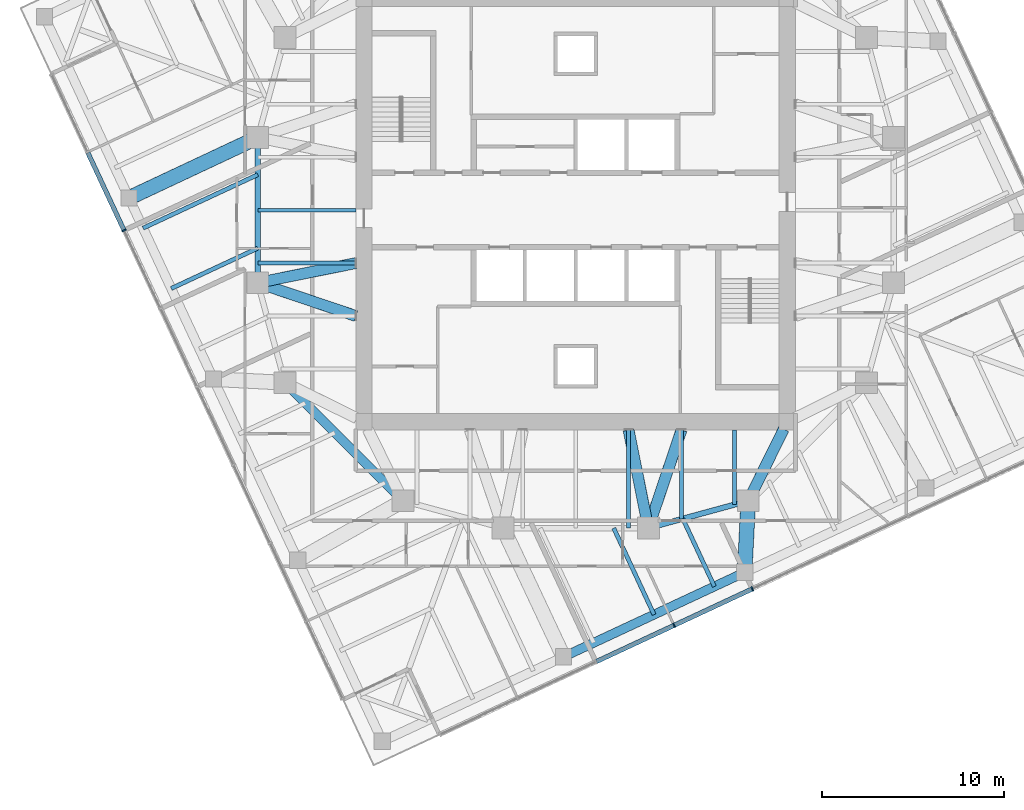
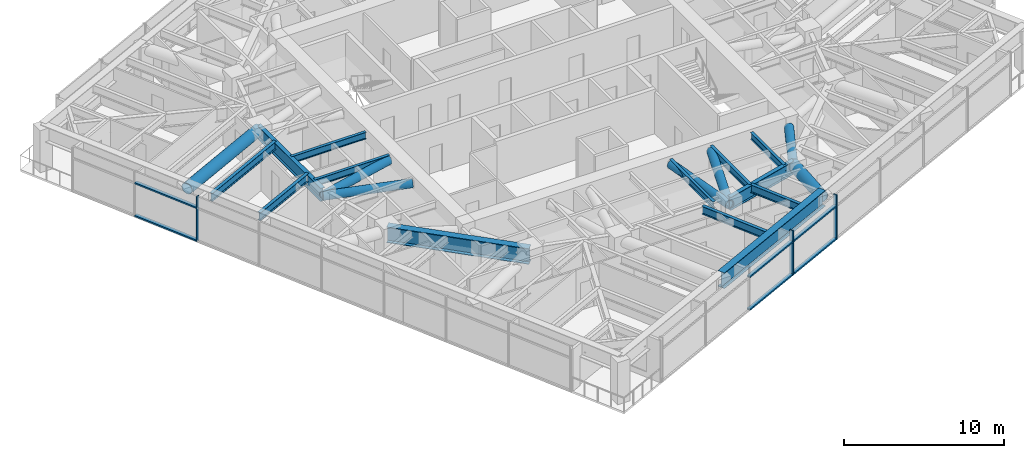
# One storey, part 3 of 16: 16 members, 13 beams, 2 elements without a shape of their own.
"""IFC4 building model written with IfcOpenShell, lengths in metres."""

from ifc_helpers import new_model, si_unit, direction, frame, origin, origin_2d, place, context, subcontext, project, spatial, rectangle, hollow_circle, i_section, extrude, material, material_profile, profile_set, type_object, element, aggregate, save


model = new_model("IFC4")

# Units and contexts
model_context = context("Model", 3, precision=1e-05, world=origin(), true_north=direction((0.0, 1.0)))
body_context = subcontext(model_context, "Body", "Model", "MODEL_VIEW")
ifc_project = project(units=[si_unit("LENGTHUNIT", "METRE"), si_unit("AREAUNIT", "SQUARE_METRE"), si_unit("VOLUMEUNIT", "CUBIC_METRE"), si_unit("PLANEANGLEUNIT", "RADIAN"), si_unit("MASSUNIT", "GRAM", prefix="KILO")], contexts=[model_context])

# Site, building, storey
site_placement = place(None, origin())
site = spatial("IfcSite", under=ifc_project, at=site_placement, CompositionType="ELEMENT")
building_placement = place(site_placement, origin())
building = spatial("IfcBuilding", under=site, at=building_placement, Name="Torsade Residences", CompositionType="ELEMENT")
storey_placement = place(building_placement, frame((0.0, 0.0, 199.800048828125)))
storey = spatial("IfcBuildingStorey", under=building, at=storey_placement, Name="L55", CompositionType="ELEMENT", Elevation=199.800048828125)

# Beams
ifc_material_1 = material(Name="Steel grade 300", Category="steel")
ifc_material_profile_1 = material_profile(ifc_material_1, i_section(OverallWidth=0.208984375, OverallDepth=0.528076171875, WebThickness=0.009521484375, FlangeThickness=0.01318359375, FilletRadius=0.013916015625, at=origin_2d()), Name="530UB82.0")
ifc_profile_set_1 = profile_set([ifc_material_profile_1], Name="Steel grade 300")
beam_type_1 = type_object("IfcBeamType", Name="INNER FLOOR BEAM 530UB82.0", PredefinedType="JOIST", material=ifc_profile_set_1)
beam_1_placement = place(storey_placement, frame((48.737548828125, 17.89990234375, 2.93603515625), z_axis=(0.0, -1.0, 0.0), x_axis=(1.0, 0.0, 0.0)))
element("IfcBeam", 1, at=beam_1_placement, inside=storey, type_object=beam_type_1, Name="Inner floor beam IS01 L56", PredefinedType="JOIST", context=body_context, shape_type="SweptSolid", body=[
    extrude(i_section(OverallWidth=0.208984375, OverallDepth=0.528076171875, WebThickness=0.009521484375, FlangeThickness=0.01318359375, FilletRadius=0.013916015625, at=origin_2d()), origin(), (0.0, 0.0, 1.0), 4.10791015625),
])
beam_2_placement = place(storey_placement, frame((45.824951171875, 17.89990234375, 2.93603515625), z_axis=(0.0, -1.0, 0.0), x_axis=(1.0, 0.0, 0.0)))
element("IfcBeam", 2, at=beam_2_placement, inside=storey, type_object=beam_type_1, Name="Inner floor beam IS02 L56", PredefinedType="JOIST", context=body_context, shape_type="SweptSolid", body=[
    extrude(i_section(OverallWidth=0.208984375, OverallDepth=0.528076171875, WebThickness=0.009521484375, FlangeThickness=0.01318359375, FilletRadius=0.013916015625, at=origin_2d()), origin(), (0.0, 0.0, 1.0), 4.902099609375),
])
for number, where, z_axis, x_axis, name in (
    (3, (42.91259765625, 17.89990234375, 2.93603515625), (0.0, -1.0, 0.0), (1.0, 0.0, 0.0), "Inner floor beam IS03 L56"),
    (4, (27.89990234375, 30.0, 2.93603515625), (-1.0, 0.0, 0.0), (0.0, -1.0, 0.0), "Inner floor beam IW04 L56"),
    (5, (27.89990234375, 27.08740234375, 2.93603515625), (-1.0, 0.0, 0.0), (0.0, -1.0, 0.0), "Inner floor beam IW05 L56"),
):
    element("IfcBeam", number, at=place(storey_placement, frame(where, z_axis=z_axis, x_axis=x_axis)), inside=storey, type_object=beam_type_1, Name=name, PredefinedType="JOIST", context=body_context, shape_type="SweptSolid", body=[
        extrude(i_section(OverallWidth=0.208984375, OverallDepth=0.528076171875, WebThickness=0.009521484375, FlangeThickness=0.01318359375, FilletRadius=0.013916015625, at=origin_2d()), origin(), (0.0, 0.0, 1.0), 5.39990234375),
    ])

# Curtain wall, members
ifc_material_2 = material(Name="Aluminium and glass", Category="aluminium")
curtain_wall_type = type_object("IfcCurtainWallType", Name="FRITTED GLASS CURTAIN WALL MID ZONE", PredefinedType="NOTDEFINED", material=ifc_material_2)
curtain_wall_1_placement = place(storey_placement, origin())
curtain_wall_1 = element("IfcCurtainWall", 6, at=curtain_wall_1_placement, inside=storey, type_object=curtain_wall_type, Name="Curtain wall L55 face 1", PredefinedType="NOTDEFINED")
ifc_material_3 = material(Name="Aluminium mullion", Category="aluminium")
ifc_material_profile_2 = material_profile(ifc_material_3, rectangle(XDim=0.25, YDim=0.080078125, at=origin_2d()), Name="MID ZONE CURTAIN WALL MULLION 250x80")
ifc_profile_set_2 = profile_set([ifc_material_profile_2], Name="Aluminium mullion")
member_type_1 = type_object("IfcMemberType", Name="MID ZONE CURTAIN WALL MULLION 250x80", PredefinedType="MULLION", material=ifc_profile_set_2)
member_1_placement = place(storey_placement, frame((45.415283203125, 7.1474609375, 0.0), z_axis=(0.0, 0.0, 1.0), x_axis=(-0.422618261978, 0.906307786926, 0.0)))
member_1 = element("IfcMember", 7, at=member_1_placement, type_object=member_type_1, Name="Mullion 4", PredefinedType="MULLION", context=body_context, shape_type="SweptSolid", body=[
    extrude(rectangle(XDim=0.25, YDim=0.080078125, at=origin_2d()), origin(), (0.0, 0.0, 1.0), 3.39990234375),
])
member_2_placement = place(storey_placement, frame((49.72021484375, 9.155029296875, 0.0), z_axis=(0.0, 0.0, 1.0), x_axis=(-0.422618261978, 0.906307786926, 0.0)))
member_2 = element("IfcMember", 8, at=member_2_placement, type_object=member_type_1, Name="Mullion 5", PredefinedType="MULLION", context=body_context, shape_type="SweptSolid", body=[
    extrude(rectangle(XDim=0.25, YDim=0.080078125, at=origin_2d()), origin(), (0.0, 0.0, 1.0), 3.39990234375),
])

# Curtain wall, member
curtain_wall_2_placement = place(storey_placement, origin())
curtain_wall_2 = element("IfcCurtainWall", 9, at=curtain_wall_2_placement, inside=storey, type_object=curtain_wall_type, Name="Curtain wall L55 face 10", PredefinedType="NOTDEFINED")
member_3_placement = place(storey_placement, frame((15.14013671875, 28.8896484375, 0.0), z_axis=(0.0, 0.0, 1.0), x_axis=(0.906307786926, 0.422618261978, 0.0)))
member_3 = element("IfcMember", 10, at=member_3_placement, type_object=member_type_1, Name="Mullion 3", PredefinedType="MULLION", context=body_context, shape_type="SweptSolid", body=[
    extrude(rectangle(XDim=0.25, YDim=0.080078125, at=origin_2d()), origin(), (0.0, 0.0, 1.0), 3.39990234375),
])

# Member
ifc_material_4 = material(Name="Aluminium transom", Category="aluminium")
ifc_material_profile_3 = material_profile(ifc_material_4, rectangle(XDim=0.25, YDim=0.110107421875, at=origin_2d()), Name="MID ZONE CURTAIN WALL TRANSOM 250x110")
ifc_profile_set_3 = profile_set([ifc_material_profile_3], Name="Aluminium transom")
member_type_2 = type_object("IfcMemberType", Name="MID ZONE CURTAIN WALL TRANSOM 250x110", PredefinedType="USERDEFINED", material=ifc_profile_set_3)
member_4_placement = place(storey_placement, frame((41.146484375, 5.156982421875, 0.054931640625), z_axis=(0.906305976097, 0.422622145291, 0.0), x_axis=(-0.422622145291, 0.906305976097, 0.0)))
member_4 = element("IfcMember", 11, at=member_4_placement, type_object=member_type_2, Name="Transom 3.1", ObjectType="TRANSOM", PredefinedType="USERDEFINED", context=body_context, shape_type="SweptSolid", body=[
    extrude(rectangle(XDim=0.25, YDim=0.110107421875, at=origin_2d()), origin(), (0.0, 0.0, 1.0), 4.669921875),
])

member_5_placement = place(storey_placement, frame((41.146484375, 5.156982421875, 2.554931640625), z_axis=(0.906305976097, 0.422622145291, 0.0), x_axis=(-0.422622145291, 0.906305976097, 0.0)))
member_5 = element("IfcMember", 12, at=member_5_placement, type_object=member_type_2, Name="Transom 3.2", ObjectType="TRANSOM", PredefinedType="USERDEFINED", context=body_context, shape_type="SweptSolid", body=[
    extrude(rectangle(XDim=0.25, YDim=0.110107421875, at=origin_2d()), origin(), (0.0, 0.0, 1.0), 4.669921875),
])

member_6_placement = place(storey_placement, frame((45.451416015625, 7.164306640625, 0.054931640625), z_axis=(0.90631531293, 0.422602122035, 0.0), x_axis=(-0.422602122035, 0.90631531293, 0.0)))
member_6 = element("IfcMember", 13, at=member_6_placement, type_object=member_type_2, Name="Transom 4.1", ObjectType="TRANSOM", PredefinedType="USERDEFINED", context=body_context, shape_type="SweptSolid", body=[
    extrude(rectangle(XDim=0.25, YDim=0.110107421875, at=origin_2d()), origin(), (0.0, 0.0, 1.0), 4.670166015625),
])

member_7_placement = place(storey_placement, frame((45.451416015625, 7.164306640625, 2.554931640625), z_axis=(0.90631531293, 0.422602122035, 0.0), x_axis=(-0.422602122035, 0.90631531293, 0.0)))
member_7 = element("IfcMember", 14, at=member_7_placement, type_object=member_type_2, Name="Transom 4.2", ObjectType="TRANSOM", PredefinedType="USERDEFINED", context=body_context, shape_type="SweptSolid", body=[
    extrude(rectangle(XDim=0.25, YDim=0.110107421875, at=origin_2d()), origin(), (0.0, 0.0, 1.0), 4.670166015625),
])

aggregate(curtain_wall_1, [member_1, member_2, member_4, member_5, member_6, member_7])

member_8_placement = place(storey_placement, frame((13.1494140625, 33.158447265625, 0.054931640625), z_axis=(0.422622145291, -0.906305976097, 0.0), x_axis=(0.906305976097, 0.422622145291, 0.0)))
member_8 = element("IfcMember", 15, at=member_8_placement, type_object=member_type_2, Name="Transom 2.1", ObjectType="TRANSOM", PredefinedType="USERDEFINED", context=body_context, shape_type="SweptSolid", body=[
    extrude(rectangle(XDim=0.25, YDim=0.110107421875, at=origin_2d()), origin(), (0.0, 0.0, 1.0), 4.669921875),
])

member_9_placement = place(storey_placement, frame((13.1494140625, 33.158447265625, 2.554931640625), z_axis=(0.422622145291, -0.906305976097, 0.0), x_axis=(0.906305976097, 0.422622145291, 0.0)))
member_9 = element("IfcMember", 16, at=member_9_placement, type_object=member_type_2, Name="Transom 2.2", ObjectType="TRANSOM", PredefinedType="USERDEFINED", context=body_context, shape_type="SweptSolid", body=[
    extrude(rectangle(XDim=0.25, YDim=0.110107421875, at=origin_2d()), origin(), (0.0, 0.0, 1.0), 4.669921875),
])

aggregate(curtain_wall_2, [member_3, member_8, member_9])

# Beams
ifc_material_5 = material(Name="Steel grade 300", Category="steel")
ifc_material_profile_4 = material_profile(ifc_material_5, i_section(OverallWidth=0.5, OverallDepth=1.199951171875, WebThickness=0.01611328125, FlangeThickness=0.0400390625, at=origin_2d()), Name="1200WB455")
ifc_profile_set_4 = profile_set([ifc_material_profile_4], Name="Steel grade 300")
beam_type_2 = type_object("IfcBeamType", Name="RING CORNER GIRDER 1200WB455", PredefinedType="BEAM", material=ifc_profile_set_4)
beam_3_placement = place(storey_placement, frame((24.0, 20.5, 2.599853515625), z_axis=(0.707106781187, -0.707106781187, 0.0), x_axis=(0.707106781187, 0.707106781187, 0.0)))
element("IfcBeam", 17, at=beam_3_placement, inside=storey, type_object=beam_type_2, Name="Ring girder IR11 L56", PredefinedType="BEAM", context=body_context, shape_type="SweptSolid", body=[
    extrude(i_section(OverallWidth=0.5, OverallDepth=1.199951171875, WebThickness=0.01611328125, FlangeThickness=0.0400390625, at=origin_2d()), origin(), (0.0, 0.0, 1.0), 9.1923828125),
])
ifc_material_6 = material(Name="Steel grade 300", Category="steel")
ifc_material_profile_5 = material_profile(ifc_material_6, i_section(OverallWidth=0.300048828125, OverallDepth=1.0, WebThickness=0.01611328125, FlangeThickness=0.028076171875, at=origin_2d()), Name="1000WB215")
ifc_profile_set_5 = profile_set([ifc_material_profile_5], Name="Steel grade 300")
beam_type_3 = type_object("IfcBeamType", Name="RING GIRDER 1000WB215", PredefinedType="BEAM", material=ifc_profile_set_5)
beam_4_placement = place(storey_placement, frame((22.5, 34.0, 2.699951171875), z_axis=(0.0, -1.0, 0.0), x_axis=(1.0, 0.0, 0.0)))
element("IfcBeam", 18, at=beam_4_placement, inside=storey, type_object=beam_type_3, Name="Ring girder IR09 L56", PredefinedType="BEAM", context=body_context, shape_type="SweptSolid", body=[
    extrude(i_section(OverallWidth=0.300048828125, OverallDepth=1.0, WebThickness=0.01611328125, FlangeThickness=0.028076171875, at=origin_2d()), origin(), (0.0, 0.0, 1.0), 8.0),
])
beam_5_placement = place(storey_placement, frame((44.0, 12.5, 2.699951171875), z_axis=(0.964763821238, 0.263117405792, 0.0), x_axis=(-0.263117405792, 0.964763821238, 0.0)))
element("IfcBeam", 19, at=beam_5_placement, inside=storey, type_object=beam_type_3, Name="Ring girder IR14 L56", PredefinedType="BEAM", context=body_context, shape_type="SweptSolid", body=[
    extrude(i_section(OverallWidth=0.300048828125, OverallDepth=1.0, WebThickness=0.01611328125, FlangeThickness=0.028076171875, at=origin_2d()), origin(), (0.0, 0.0, 1.0), 5.700927734375),
])
ifc_material_7 = material(Name="Steel grade 300", Category="steel")
ifc_material_profile_6 = material_profile(ifc_material_7, i_section(OverallWidth=0.22900390625, OverallDepth=0.612060546875, WebThickness=0.011962890625, FlangeThickness=0.01953125, FilletRadius=0.013916015625, at=origin_2d()), Name="610UB125")
ifc_profile_set_6 = profile_set([ifc_material_profile_6], Name="Steel grade 300")
beam_type_4 = type_object("IfcBeamType", Name="SECONDARY BEAM 610UB125", PredefinedType="JOIST", material=ifc_profile_set_6)
beam_6_placement = place(storey_placement, frame((44.31298828125, 7.73681640625, 2.89404296875), z_axis=(-0.422631142882, 0.90630178035, 0.0), x_axis=(-0.90630178035, -0.422631142882, 0.0)))
element("IfcBeam", 20, at=beam_6_placement, inside=storey, type_object=beam_type_4, Name="Floor beam FS05 L56", PredefinedType="JOIST", context=body_context, shape_type="SweptSolid", body=[
    extrude(i_section(OverallWidth=0.22900390625, OverallDepth=0.612060546875, WebThickness=0.011962890625, FlangeThickness=0.01953125, FilletRadius=0.013916015625, at=origin_2d()), origin(), (0.0, 0.0, 1.0), 5.255615234375),
])
beam_7_placement = place(storey_placement, frame((47.635986328125, 9.286376953125, 2.89404296875), z_axis=(-0.422635442612, 0.906299775267, 0.0), x_axis=(-0.906299775267, -0.422635442612, 0.0)))
element("IfcBeam", 21, at=beam_7_placement, inside=storey, type_object=beam_type_4, Name="Floor beam FS06 L56", PredefinedType="JOIST", context=body_context, shape_type="SweptSolid", body=[
    extrude(i_section(OverallWidth=0.22900390625, OverallDepth=0.612060546875, WebThickness=0.011962890625, FlangeThickness=0.01953125, FilletRadius=0.013916015625, at=origin_2d()), origin(), (0.0, 0.0, 1.0), 4.116455078125),
])
beam_8_placement = place(storey_placement, frame((16.187255859375, 29.01025390625, 2.89404296875), z_axis=(0.906312044376, 0.422609131726, 0.0), x_axis=(-0.422609131726, 0.906312044376, 0.0)))
element("IfcBeam", 22, at=beam_8_placement, inside=storey, type_object=beam_type_4, Name="Floor beam FW04 L56", PredefinedType="JOIST", context=body_context, shape_type="SweptSolid", body=[
    extrude(i_section(OverallWidth=0.22900390625, OverallDepth=0.612060546875, WebThickness=0.011962890625, FlangeThickness=0.01953125, FilletRadius=0.013916015625, at=origin_2d()), origin(), (0.0, 0.0, 1.0), 6.96533203125),
])
beam_9_placement = place(storey_placement, frame((17.73681640625, 25.68701171875, 2.89404296875), z_axis=(0.90630178035, 0.422631142882, 0.0), x_axis=(-0.422631142882, 0.90630178035, 0.0)))
element("IfcBeam", 23, at=beam_9_placement, inside=storey, type_object=beam_type_4, Name="Floor beam FW05 L56", PredefinedType="JOIST", context=body_context, shape_type="SweptSolid", body=[
    extrude(i_section(OverallWidth=0.22900390625, OverallDepth=0.612060546875, WebThickness=0.011962890625, FlangeThickness=0.01953125, FilletRadius=0.013916015625, at=origin_2d()), origin(), (0.0, 0.0, 1.0), 5.255615234375),
])

# Members
ifc_material_8 = material(Name="Steel grade 450", Category="steel")
ifc_material_profile_7 = material_profile(ifc_material_8, hollow_circle(Radius=0.304931640625, WallThickness=0.01611328125, at=origin_2d()), Name="610.0x16.0CHS")
ifc_profile_set_7 = profile_set([ifc_material_profile_7], Name="Steel grade 450")
member_type_3 = type_object("IfcMemberType", Name="TRANSFER FLOOR BRACE 610.0x16.0CHS", PredefinedType="BRACE", material=ifc_profile_set_7)
member_10_placement = place(storey_placement, frame((22.5, 26.0, 2.599853515625), z_axis=(0.97976207845, 0.197299045909, 0.03375434957), x_axis=(-0.197411538983, 0.980320704809, 0.0)))
element("IfcMember", 24, at=member_10_placement, inside=storey, type_object=member_type_3, Name="Transfer floor brace TT6 bottom IR10IW05", PredefinedType="BRACE", context=body_context, shape_type="SweptSolid", body=[
    extrude(hollow_circle(Radius=0.304931640625, WallThickness=0.01611328125, at=origin_2d()), origin(), (0.0, 0.0, 1.0), 5.511474609375),
])
member_11_placement = place(storey_placement, frame((22.5, 26.0, 2.599853515625), z_axis=(0.946855969774, -0.319999474368, 0.032620682203), x_axis=(0.320169867513, 0.947360151124, 0.0)))
element("IfcMember", 25, at=member_11_placement, inside=storey, type_object=member_type_3, Name="Transfer floor brace TT6 bottom IR10IW06", PredefinedType="BRACE", context=body_context, shape_type="SweptSolid", body=[
    extrude(hollow_circle(Radius=0.304931640625, WallThickness=0.01611328125, at=origin_2d()), origin(), (0.0, 0.0, 1.0), 5.702880859375),
])
member_12_placement = place(storey_placement, frame((44.0, 12.5, 2.599853515625), z_axis=(-0.197299045909, 0.97976207845, 0.03375434957), x_axis=(-0.980320704809, -0.197411538983, 0.0)))
element("IfcMember", 26, at=member_12_placement, inside=storey, type_object=member_type_3, Name="Transfer floor brace TT6 bottom IR14IS03", PredefinedType="BRACE", context=body_context, shape_type="SweptSolid", body=[
    extrude(hollow_circle(Radius=0.304931640625, WallThickness=0.01611328125, at=origin_2d()), origin(), (0.0, 0.0, 1.0), 5.511474609375),
])
member_13_placement = place(storey_placement, frame((44.0, 12.5, 2.599853515625), z_axis=(0.319999474368, 0.946855969774, 0.032620682203), x_axis=(-0.947360151124, 0.320169867513, 0.0)))
element("IfcMember", 27, at=member_13_placement, inside=storey, type_object=member_type_3, Name="Transfer floor brace TT6 bottom IR14IS02", PredefinedType="BRACE", context=body_context, shape_type="SweptSolid", body=[
    extrude(hollow_circle(Radius=0.304931640625, WallThickness=0.01611328125, at=origin_2d()), origin(), (0.0, 0.0, 1.0), 5.702880859375),
])
member_14_placement = place(storey_placement, frame((49.5, 14.0, 2.599853515625), z_axis=(0.443105036702, 0.896469701914, 0.0), x_axis=(-0.896469701914, 0.443105036702, 0.0)))
element("IfcMember", 28, at=member_14_placement, inside=storey, type_object=member_type_3, Name="Transfer floor brace TT6 bottom IR15C", PredefinedType="BRACE", context=body_context, shape_type="SweptSolid", body=[
    extrude(hollow_circle(Radius=0.304931640625, WallThickness=0.01611328125, at=origin_2d()), origin(), (0.0, 0.0, 1.0), 4.40234375),
])
ifc_material_9 = material(Name="Steel grade 450", Category="steel")
ifc_material_profile_8 = material_profile(ifc_material_9, hollow_circle(Radius=0.406494140625, WallThickness=0.02490234375, at=origin_2d()), Name="813.0x25.0CHS")
ifc_profile_set_8 = profile_set([ifc_material_profile_8], Name="Steel grade 450")
member_type_4 = type_object("IfcMemberType", Name="TRANSFER FLOOR STRUT 813.0x25.0CHS", PredefinedType="STRUT", material=ifc_profile_set_8)
member_15_placement = place(storey_placement, frame((49.297607421875, 10.061279296875, 2.800048828125), z_axis=(0.051317652886, 0.998682381191, 0.0), x_axis=(-0.998682381191, 0.051317652886, 0.0)))
element("IfcMember", 29, at=member_15_placement, inside=storey, type_object=member_type_4, Name="Transfer floor strut TT6 bottom 03IR15", PredefinedType="STRUT", context=body_context, shape_type="SweptSolid", body=[
    extrude(hollow_circle(Radius=0.406494140625, WallThickness=0.02490234375, at=origin_2d()), origin(), (0.0, 0.0, 1.0), 3.94384765625),
])
member_16_placement = place(storey_placement, frame((15.412353515625, 30.671875, 2.800048828125), z_axis=(0.905174521931, 0.425040097929, 0.0), x_axis=(-0.425040097929, 0.905174521931, 0.0)))
element("IfcMember", 30, at=member_16_placement, inside=storey, type_object=member_type_4, Name="Transfer floor strut TT6 bottom 14IR09", PredefinedType="STRUT", context=body_context, shape_type="SweptSolid", body=[
    extrude(hollow_circle(Radius=0.406494140625, WallThickness=0.02490234375, at=origin_2d()), origin(), (0.0, 0.0, 1.0), 7.830078125),
])

# Beam
ifc_material_10 = material(Name="Steel grade 300", Category="steel")
ifc_material_profile_9 = material_profile(ifc_material_10, i_section(OverallWidth=0.5, OverallDepth=1.199951171875, WebThickness=0.01611328125, FlangeThickness=0.0400390625, at=origin_2d()), Name="1200WB455")
ifc_profile_set_9 = profile_set([ifc_material_profile_9], Name="Steel grade 300")
beam_type_5 = type_object("IfcBeamType", Name="TRANSFER TRUSS CHORD 1200WB455", PredefinedType="USERDEFINED", material=ifc_profile_set_9)
beam_10_placement = place(storey_placement, frame((39.328125, 5.412353515625, 2.800048828125), z_axis=(0.906305009094, 0.422624219007, 0.0), x_axis=(-0.422624219007, 0.906305009094, 0.0)))
element("IfcBeam", 31, at=beam_10_placement, inside=storey, type_object=beam_type_5, Name="Transfer truss TT6 bottom chord 02", ObjectType="TRANSFER TRUSS CHORD", PredefinedType="USERDEFINED", context=body_context, shape_type="SweptSolid", body=[
    extrude(i_section(OverallWidth=0.5, OverallDepth=1.199951171875, WebThickness=0.01611328125, FlangeThickness=0.0400390625, at=origin_2d()), origin(), (0.0, 0.0, 1.0), 11.000244140625),
])

save(model, "model.ifc")
